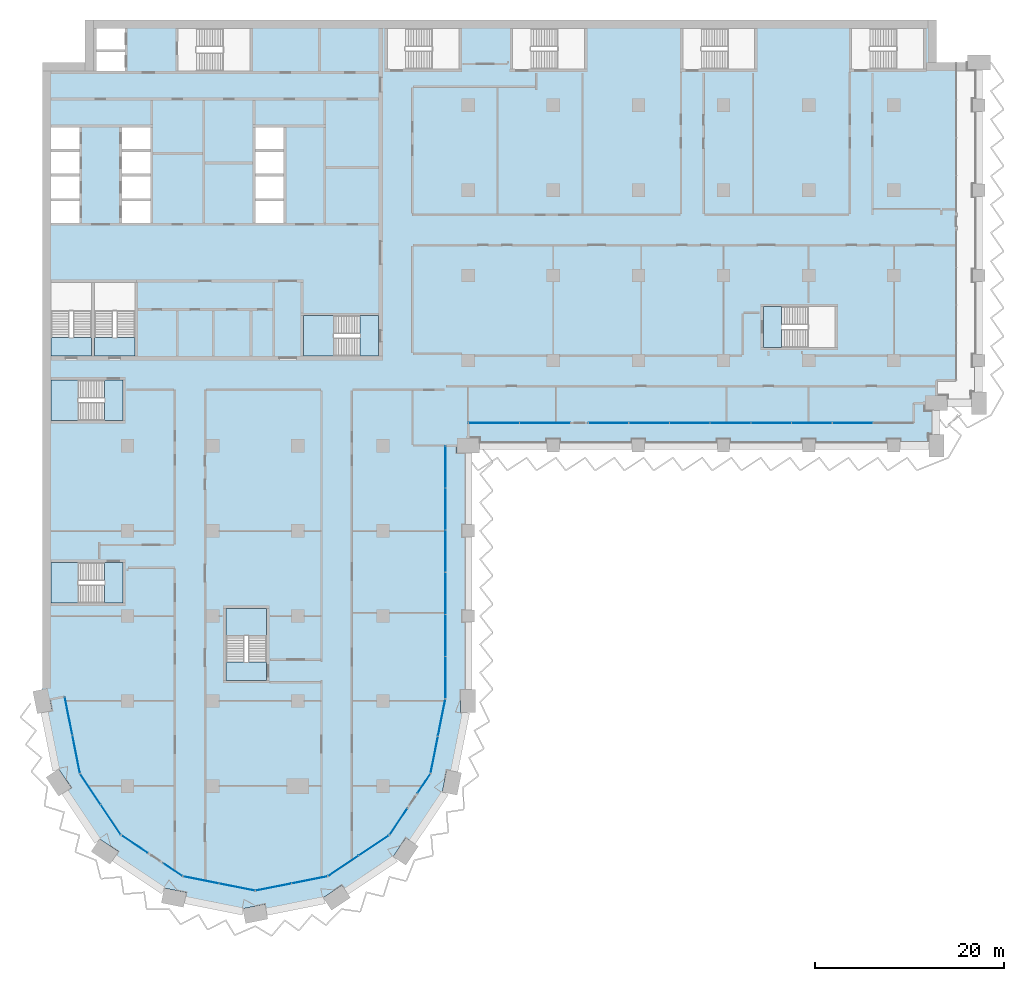
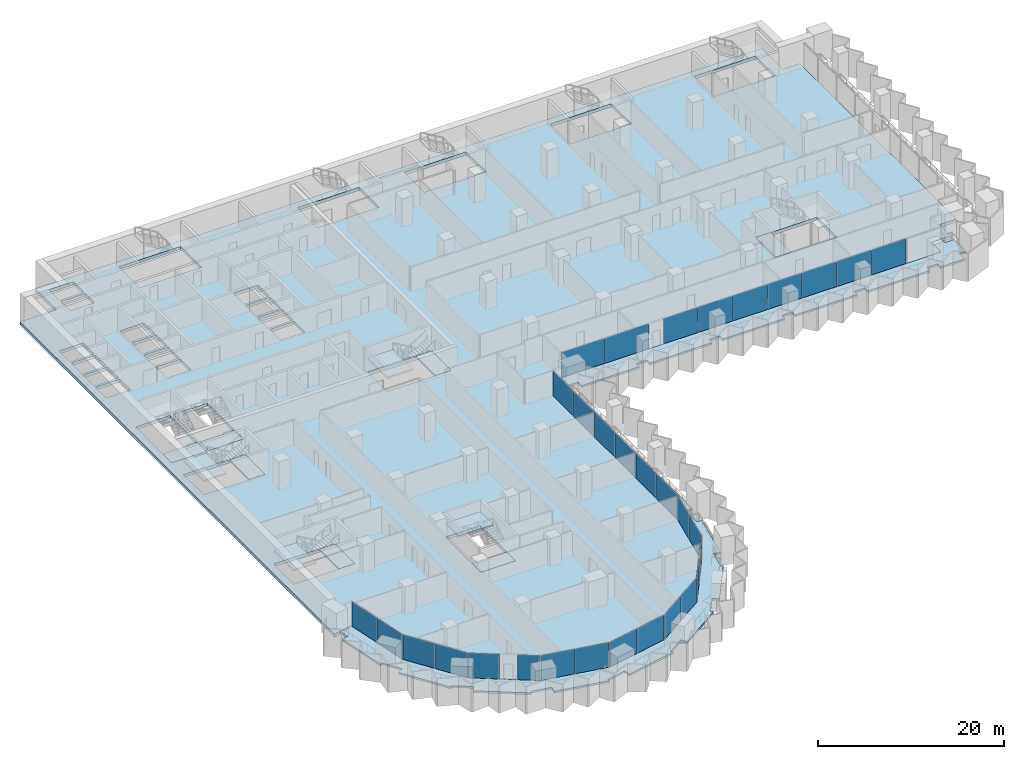
# One storey, part 8 of 29: 31 plates, 14 slabs, 17 elements without a shape of their own.
"""IFC4 building model written with IfcOpenShell, lengths in metres."""

from ifc_helpers import new_model, si_unit, direction, frame, origin, origin_2d, place, context, subcontext, project, spatial, polyline, rectangle, outline, extrude, material, layer, layer_set, type_object, element, aggregate, save


model = new_model("IFC4")

# Units and contexts
model_context = context("Model", 3, precision=1e-05, world=origin(), true_north=direction((0.0, 1.0)))
body_context = subcontext(model_context, "Body", "Model", "MODEL_VIEW")
ifc_project = project(units=[si_unit("LENGTHUNIT", "METRE"), si_unit("AREAUNIT", "SQUARE_METRE"), si_unit("VOLUMEUNIT", "CUBIC_METRE"), si_unit("PLANEANGLEUNIT", "RADIAN"), si_unit("MASSUNIT", "GRAM", prefix="KILO")], contexts=[model_context])

# Site, building, storey
site_placement = place(None, origin())
site = spatial("IfcSite", under=ifc_project, at=site_placement, CompositionType="ELEMENT")
building_placement = place(site_placement, origin())
building = spatial("IfcBuilding", under=site, at=building_placement, Name="Hunhe Ridgeline Campus", CompositionType="ELEMENT")
storey_placement = place(building_placement, frame((0.0, 0.0, 65.39990234375)))
storey = spatial("IfcBuildingStorey", under=building, at=storey_placement, Name="L15", CompositionType="ELEMENT", Elevation=65.39990234375)

# Curtain wall, plates
ifc_material_1 = material(Name="Aluminium 6063", Category="aluminium")
curtain_wall_type_1 = type_object("IfcCurtainWallType", Name="Curtain wall CW-5", PredefinedType="NOTDEFINED", material=ifc_material_1)
curtain_wall_1_placement = place(storey_placement, origin())
curtain_wall_1 = element("IfcCurtainWall", 1, at=curtain_wall_1_placement, inside=storey, type_object=curtain_wall_type_1, Name="Curtain wall 01", PredefinedType="NOTDEFINED")
ifc_material_2 = material(Name="Low-e laminated glass", Category="glass")
ifc_layer_1 = layer(ifc_material_2, 0.028076171875)
ifc_layer_set_1 = layer_set([ifc_layer_1], Name="Curtain wall glass panel 28 low-e laminated")
plate_type = type_object("IfcPlateType", Name="Curtain wall glass panel 28 low-e laminated", PredefinedType="CURTAIN_PANEL", material=ifc_layer_set_1)
plate_1_placement = place(storey_placement, frame((2.76318359375, 25.416015625, 0.0), z_axis=(0.0, 0.0, 1.0), x_axis=(0.195095347137, -0.980784280831, 0.0)))
plate_1 = element("IfcPlate", 2, at=plate_1_placement, type_object=plate_type, Name="CW-5 panel 1", PredefinedType="CURTAIN_PANEL", context=body_context, shape_type="SweptSolid", body=[
    extrude(rectangle(XDim=4.0458984375, YDim=0.028076171875, at=origin_2d()), origin(), (0.0, 0.0, 1.0), 3.22998046875),
])
plate_2_placement = place(storey_placement, frame((3.566162109375, 21.379150390625, 0.0), z_axis=(0.0, 0.0, 1.0), x_axis=(0.195095347137, -0.980784280831, 0.0)))
plate_2 = element("IfcPlate", 3, at=plate_2_placement, type_object=plate_type, Name="CW-5 panel 2", PredefinedType="CURTAIN_PANEL", context=body_context, shape_type="SweptSolid", body=[
    extrude(rectangle(XDim=4.0458984375, YDim=0.028076171875, at=origin_2d()), origin(), (0.0, 0.0, 1.0), 3.22998046875),
])
aggregate(curtain_wall_1, [plate_1, plate_2])

curtain_wall_2_placement = place(storey_placement, origin())
curtain_wall_2 = element("IfcCurtainWall", 4, at=curtain_wall_2_placement, inside=storey, type_object=curtain_wall_type_1, Name="Curtain wall 02", PredefinedType="NOTDEFINED")
plate_3_placement = place(storey_placement, frame((5.07080078125, 17.685546875, 0.0), z_axis=(0.0, 0.0, 1.0), x_axis=(0.555570274596, -0.831469584522, 0.0)))
plate_3 = element("IfcPlate", 5, at=plate_3_placement, type_object=plate_type, Name="CW-5 panel 1", PredefinedType="CURTAIN_PANEL", context=body_context, shape_type="SweptSolid", body=[
    extrude(rectangle(XDim=3.806884765625, YDim=0.028076171875, at=origin_2d()), origin(), (0.0, 0.0, 1.0), 3.22998046875),
])
plate_4_placement = place(storey_placement, frame((7.224609375, 14.4619140625, 0.0), z_axis=(0.0, 0.0, 1.0), x_axis=(0.555570274596, -0.831469584522, 0.0)))
plate_4 = element("IfcPlate", 6, at=plate_4_placement, type_object=plate_type, Name="CW-5 panel 2", PredefinedType="CURTAIN_PANEL", context=body_context, shape_type="SweptSolid", body=[
    extrude(rectangle(XDim=3.806884765625, YDim=0.028076171875, at=origin_2d()), origin(), (0.0, 0.0, 1.0), 3.22998046875),
])
aggregate(curtain_wall_2, [plate_3, plate_4])

# Curtain wall, plate
curtain_wall_3_placement = place(storey_placement, origin())
curtain_wall_3 = element("IfcCurtainWall", 7, at=curtain_wall_3_placement, inside=storey, type_object=curtain_wall_type_1, Name="Curtain wall 03", PredefinedType="NOTDEFINED")
plate_5_placement = place(storey_placement, frame((9.76025390625, 11.859375, 0.0), z_axis=(0.0, 0.0, 1.0), x_axis=(0.831469595944, -0.555570257501, 0.0)))
plate_5 = element("IfcPlate", 8, at=plate_5_placement, type_object=plate_type, Name="CW-5 panel 1", PredefinedType="CURTAIN_PANEL", context=body_context, shape_type="SweptSolid", body=[
    extrude(rectangle(XDim=3.322021484375, YDim=0.028076171875, at=origin_2d()), origin(), (0.0, 0.0, 1.0), 3.22998046875),
])
aggregate(curtain_wall_3, [plate_5])

curtain_wall_4_placement = place(storey_placement, origin())
curtain_wall_4 = element("IfcCurtainWall", 9, at=curtain_wall_4_placement, inside=storey, type_object=curtain_wall_type_1, Name="Curtain wall 04", PredefinedType="NOTDEFINED")
plate_6_placement = place(storey_placement, frame((13.761474609375, 9.18603515625, 0.0), z_axis=(0.0, 0.0, 1.0), x_axis=(0.831469510353, -0.555570385598, 0.0)))
plate_6 = element("IfcPlate", 10, at=plate_6_placement, type_object=plate_type, Name="CW-5 panel 1", PredefinedType="CURTAIN_PANEL", context=body_context, shape_type="SweptSolid", body=[
    extrude(rectangle(XDim=2.421875, YDim=0.028076171875, at=origin_2d()), origin(), (0.0, 0.0, 1.0), 3.22998046875),
])
aggregate(curtain_wall_4, [plate_6])

# Curtain wall, plates
curtain_wall_5_placement = place(storey_placement, origin())
curtain_wall_5 = element("IfcCurtainWall", 11, at=curtain_wall_5_placement, inside=storey, type_object=curtain_wall_type_1, Name="Curtain wall 05", PredefinedType="NOTDEFINED")
plate_7_placement = place(storey_placement, frame((16.761962890625, 8.08935546875, 0.0), z_axis=(0.0, 0.0, 1.0), x_axis=(0.980785275326, -0.195090347539, 0.0)))
plate_7 = element("IfcPlate", 12, at=plate_7_placement, type_object=plate_type, Name="CW-5 panel 1", PredefinedType="CURTAIN_PANEL", context=body_context, shape_type="SweptSolid", body=[
    extrude(rectangle(XDim=3.806884765625, YDim=0.028076171875, at=origin_2d()), origin(), (0.0, 0.0, 1.0), 3.22998046875),
])
plate_8_placement = place(storey_placement, frame((20.564453125, 7.3330078125, 0.0), z_axis=(0.0, 0.0, 1.0), x_axis=(0.980785275326, -0.195090347539, 0.0)))
plate_8 = element("IfcPlate", 13, at=plate_8_placement, type_object=plate_type, Name="CW-5 panel 2", PredefinedType="CURTAIN_PANEL", context=body_context, shape_type="SweptSolid", body=[
    extrude(rectangle(XDim=3.806884765625, YDim=0.028076171875, at=origin_2d()), origin(), (0.0, 0.0, 1.0), 3.22998046875),
])
aggregate(curtain_wall_5, [plate_7, plate_8])

curtain_wall_6_placement = place(storey_placement, origin())
curtain_wall_6 = element("IfcCurtainWall", 14, at=curtain_wall_6_placement, inside=storey, type_object=curtain_wall_type_1, Name="Curtain wall 06", PredefinedType="NOTDEFINED")
plate_9_placement = place(storey_placement, frame((24.435546875, 7.3330078125, 0.0), z_axis=(0.0, 0.0, 1.0), x_axis=(0.980785275326, 0.195090347539, 0.0)))
plate_9 = element("IfcPlate", 15, at=plate_9_placement, type_object=plate_type, Name="CW-5 panel 1", PredefinedType="CURTAIN_PANEL", context=body_context, shape_type="SweptSolid", body=[
    extrude(rectangle(XDim=3.806884765625, YDim=0.028076171875, at=origin_2d()), origin(), (0.0, 0.0, 1.0), 3.22998046875),
])
plate_10_placement = place(storey_placement, frame((28.238037109375, 8.08935546875, 0.0), z_axis=(0.0, 0.0, 1.0), x_axis=(0.980785275326, 0.195090347539, 0.0)))
plate_10 = element("IfcPlate", 16, at=plate_10_placement, type_object=plate_type, Name="CW-5 panel 2", PredefinedType="CURTAIN_PANEL", context=body_context, shape_type="SweptSolid", body=[
    extrude(rectangle(XDim=3.806884765625, YDim=0.028076171875, at=origin_2d()), origin(), (0.0, 0.0, 1.0), 3.22998046875),
])
aggregate(curtain_wall_6, [plate_9, plate_10])

curtain_wall_7_placement = place(storey_placement, origin())
curtain_wall_7 = element("IfcCurtainWall", 17, at=curtain_wall_7_placement, inside=storey, type_object=curtain_wall_type_1, Name="Curtain wall 07", PredefinedType="NOTDEFINED")
plate_11_placement = place(storey_placement, frame((31.814453125, 9.57080078125, 0.0), z_axis=(0.0, 0.0, 1.0), x_axis=(0.831469584522, 0.555570274596, 0.0)))
plate_11 = element("IfcPlate", 18, at=plate_11_placement, type_object=plate_type, Name="CW-5 panel 1", PredefinedType="CURTAIN_PANEL", context=body_context, shape_type="SweptSolid", body=[
    extrude(rectangle(XDim=3.806884765625, YDim=0.028076171875, at=origin_2d()), origin(), (0.0, 0.0, 1.0), 3.22998046875),
])
plate_12_placement = place(storey_placement, frame((35.0380859375, 11.724609375, 0.0), z_axis=(0.0, 0.0, 1.0), x_axis=(0.831469584522, 0.555570274596, 0.0)))
plate_12 = element("IfcPlate", 19, at=plate_12_placement, type_object=plate_type, Name="CW-5 panel 2", PredefinedType="CURTAIN_PANEL", context=body_context, shape_type="SweptSolid", body=[
    extrude(rectangle(XDim=3.806884765625, YDim=0.028076171875, at=origin_2d()), origin(), (0.0, 0.0, 1.0), 3.22998046875),
])
aggregate(curtain_wall_7, [plate_11, plate_12])

# Curtain wall, plate
curtain_wall_8_placement = place(storey_placement, origin())
curtain_wall_8 = element("IfcCurtainWall", 20, at=curtain_wall_8_placement, inside=storey, type_object=curtain_wall_type_1, Name="Curtain wall 08", PredefinedType="NOTDEFINED")
plate_13_placement = place(storey_placement, frame((37.640625, 14.26025390625, 0.0), z_axis=(0.0, 0.0, 1.0), x_axis=(0.555570257501, 0.831469595944, 0.0)))
plate_13 = element("IfcPlate", 21, at=plate_13_placement, type_object=plate_type, Name="CW-5 panel 1", PredefinedType="CURTAIN_PANEL", context=body_context, shape_type="SweptSolid", body=[
    extrude(rectangle(XDim=3.322021484375, YDim=0.028076171875, at=origin_2d()), origin(), (0.0, 0.0, 1.0), 3.22998046875),
])
aggregate(curtain_wall_8, [plate_13])

curtain_wall_9_placement = place(storey_placement, origin())
curtain_wall_9 = element("IfcCurtainWall", 22, at=curtain_wall_9_placement, inside=storey, type_object=curtain_wall_type_1, Name="Curtain wall 09", PredefinedType="NOTDEFINED")
plate_14_placement = place(storey_placement, frame((40.31396484375, 18.261474609375, 0.0), z_axis=(0.0, 0.0, 1.0), x_axis=(0.555570385598, 0.831469510353, 0.0)))
plate_14 = element("IfcPlate", 23, at=plate_14_placement, type_object=plate_type, Name="CW-5 panel 1", PredefinedType="CURTAIN_PANEL", context=body_context, shape_type="SweptSolid", body=[
    extrude(rectangle(XDim=2.421875, YDim=0.028076171875, at=origin_2d()), origin(), (0.0, 0.0, 1.0), 3.22998046875),
])
aggregate(curtain_wall_9, [plate_14])

# Curtain wall, plates
curtain_wall_10_placement = place(storey_placement, origin())
curtain_wall_10 = element("IfcCurtainWall", 24, at=curtain_wall_10_placement, inside=storey, type_object=curtain_wall_type_1, Name="Curtain wall 10", PredefinedType="NOTDEFINED")
plate_15_placement = place(storey_placement, frame((41.42236328125, 21.321044921875, 0.0), z_axis=(0.0, 0.0, 1.0), x_axis=(0.195090299215, 0.980785284939, 0.0)))
plate_15 = element("IfcPlate", 25, at=plate_15_placement, type_object=plate_type, Name="CW-5 panel 1", PredefinedType="CURTAIN_PANEL", context=body_context, shape_type="SweptSolid", body=[
    extrude(rectangle(XDim=3.927490234375, YDim=0.028076171875, at=origin_2d()), origin(), (0.0, 0.0, 1.0), 3.22998046875),
])
plate_16_placement = place(storey_placement, frame((42.2021484375, 25.24169921875, 0.0), z_axis=(0.0, 0.0, 1.0), x_axis=(0.195090299215, 0.980785284939, 0.0)))
plate_16 = element("IfcPlate", 26, at=plate_16_placement, type_object=plate_type, Name="CW-5 panel 2", PredefinedType="CURTAIN_PANEL", context=body_context, shape_type="SweptSolid", body=[
    extrude(rectangle(XDim=3.927490234375, YDim=0.028076171875, at=origin_2d()), origin(), (0.0, 0.0, 1.0), 3.22998046875),
])
aggregate(curtain_wall_10, [plate_15, plate_16])

curtain_wall_type_2 = type_object("IfcCurtainWallType", Name="Curtain wall CW-1", PredefinedType="NOTDEFINED", material=ifc_material_1)
curtain_wall_11_placement = place(storey_placement, origin())
curtain_wall_11 = element("IfcCurtainWall", 27, at=curtain_wall_11_placement, inside=storey, type_object=curtain_wall_type_2, Name="Curtain wall 11", PredefinedType="NOTDEFINED")
plate_17_placement = place(storey_placement, frame((42.59912109375, 29.481689453125, 0.0), z_axis=(0.0, 0.0, 1.0), x_axis=(1.8682e-07, 1.0, 0.0)))
plate_17 = element("IfcPlate", 28, at=plate_17_placement, type_object=plate_type, Name="CW-1 panel 1", PredefinedType="CURTAIN_PANEL", context=body_context, shape_type="SweptSolid", body=[
    extrude(rectangle(XDim=4.37060546875, YDim=0.028076171875, at=origin_2d()), origin(), (0.0, 0.0, 1.0), 3.239990234375),
])
plate_18_placement = place(storey_placement, frame((42.59912109375, 33.927490234375, 0.0), z_axis=(0.0, 0.0, 1.0), x_axis=(1.8682e-07, 1.0, 0.0)))
plate_18 = element("IfcPlate", 29, at=plate_18_placement, type_object=plate_type, Name="CW-1 panel 2", PredefinedType="CURTAIN_PANEL", context=body_context, shape_type="SweptSolid", body=[
    extrude(rectangle(XDim=4.400634765625, YDim=0.028076171875, at=origin_2d()), origin(), (0.0, 0.0, 1.0), 3.239990234375),
])
plate_19_placement = place(storey_placement, frame((42.59912109375, 38.387939453125, 0.0), z_axis=(0.0, 0.0, 1.0), x_axis=(1.8682e-07, 1.0, 0.0)))
plate_19 = element("IfcPlate", 30, at=plate_19_placement, type_object=plate_type, Name="CW-1 panel 3", PredefinedType="CURTAIN_PANEL", context=body_context, shape_type="SweptSolid", body=[
    extrude(rectangle(XDim=4.400634765625, YDim=0.028076171875, at=origin_2d()), origin(), (0.0, 0.0, 1.0), 3.239990234375),
])
plate_20_placement = place(storey_placement, frame((42.59912109375, 42.8486328125, 0.0), z_axis=(0.0, 0.0, 1.0), x_axis=(1.8682e-07, 1.0, 0.0)))
plate_20 = element("IfcPlate", 31, at=plate_20_placement, type_object=plate_type, Name="CW-1 panel 4", PredefinedType="CURTAIN_PANEL", context=body_context, shape_type="SweptSolid", body=[
    extrude(rectangle(XDim=4.400634765625, YDim=0.028076171875, at=origin_2d()), origin(), (0.0, 0.0, 1.0), 3.239990234375),
])
plate_21_placement = place(storey_placement, frame((42.59912109375, 47.30908203125, 0.0), z_axis=(0.0, 0.0, 1.0), x_axis=(1.8682e-07, 1.0, 0.0)))
plate_21 = element("IfcPlate", 32, at=plate_21_placement, type_object=plate_type, Name="CW-1 panel 5", PredefinedType="CURTAIN_PANEL", context=body_context, shape_type="SweptSolid", body=[
    extrude(rectangle(XDim=4.400634765625, YDim=0.028076171875, at=origin_2d()), origin(), (0.0, 0.0, 1.0), 3.239990234375),
])
plate_22_placement = place(storey_placement, frame((42.59912109375, 51.7548828125, 0.0), z_axis=(0.0, 0.0, 1.0), x_axis=(1.8682e-07, 1.0, 0.0)))
plate_22 = element("IfcPlate", 33, at=plate_22_placement, type_object=plate_type, Name="CW-1 panel 6", PredefinedType="CURTAIN_PANEL", context=body_context, shape_type="SweptSolid", body=[
    extrude(rectangle(XDim=4.37060546875, YDim=0.028076171875, at=origin_2d()), origin(), (0.0, 0.0, 1.0), 3.239990234375),
])
aggregate(curtain_wall_11, [plate_17, plate_18, plate_19, plate_20, plate_21, plate_22])

curtain_wall_12_placement = place(storey_placement, origin())
curtain_wall_12 = element("IfcCurtainWall", 34, at=curtain_wall_12_placement, inside=storey, type_object=curtain_wall_type_2, Name="Curtain wall 12", PredefinedType="NOTDEFINED")
plate_23_placement = place(storey_placement, frame((47.733154296875, 56.40087890625, 0.0), z_axis=(0.0, 0.0, 1.0), x_axis=(0.999999999994, 3.58625e-06, 0.0)))
plate_23 = element("IfcPlate", 35, at=plate_23_placement, type_object=plate_type, Name="CW-1 panel 1", PredefinedType="CURTAIN_PANEL", context=body_context, shape_type="SweptSolid", body=[
    extrude(rectangle(XDim=5.347412109375, YDim=0.028076171875, at=origin_2d()), origin(), (0.0, 0.0, 1.0), 3.239990234375),
])
plate_24_placement = place(storey_placement, frame((53.140625, 56.40087890625, 0.0), z_axis=(0.0, 0.0, 1.0), x_axis=(0.999999999994, 3.58625e-06, 0.0)))
plate_24 = element("IfcPlate", 36, at=plate_24_placement, type_object=plate_type, Name="CW-1 panel 2", PredefinedType="CURTAIN_PANEL", context=body_context, shape_type="SweptSolid", body=[
    extrude(rectangle(XDim=5.347412109375, YDim=0.028076171875, at=origin_2d()), origin(), (0.0, 0.0, 1.0), 3.239990234375),
])
aggregate(curtain_wall_12, [plate_23, plate_24])

curtain_wall_13_placement = place(storey_placement, origin())
curtain_wall_13 = element("IfcCurtainWall", 37, at=curtain_wall_13_placement, inside=storey, type_object=curtain_wall_type_2, Name="Curtain wall 13", PredefinedType="NOTDEFINED")
plate_25_placement = place(storey_placement, frame((59.8408203125, 56.40087890625, 0.0), z_axis=(0.0, 0.0, 1.0), x_axis=(0.999999999994, 3.602063e-06, 0.0)))
plate_25 = element("IfcPlate", 38, at=plate_25_placement, type_object=plate_type, Name="CW-1 panel 1", PredefinedType="CURTAIN_PANEL", context=body_context, shape_type="SweptSolid", body=[
    extrude(rectangle(XDim=4.213134765625, YDim=0.028076171875, at=origin_2d()), origin(), (0.0, 0.0, 1.0), 3.239990234375),
])
plate_26_placement = place(storey_placement, frame((64.12890625, 56.40087890625, 0.0), z_axis=(0.0, 0.0, 1.0), x_axis=(0.999999999994, 3.602063e-06, 0.0)))
plate_26 = element("IfcPlate", 39, at=plate_26_placement, type_object=plate_type, Name="CW-1 panel 2", PredefinedType="CURTAIN_PANEL", context=body_context, shape_type="SweptSolid", body=[
    extrude(rectangle(XDim=4.2431640625, YDim=0.028076171875, at=origin_2d()), origin(), (0.0, 0.0, 1.0), 3.239990234375),
])
plate_27_placement = place(storey_placement, frame((68.43212890625, 56.40087890625, 0.0), z_axis=(0.0, 0.0, 1.0), x_axis=(0.999999999994, 3.602063e-06, 0.0)))
plate_27 = element("IfcPlate", 40, at=plate_27_placement, type_object=plate_type, Name="CW-1 panel 3", PredefinedType="CURTAIN_PANEL", context=body_context, shape_type="SweptSolid", body=[
    extrude(rectangle(XDim=4.2431640625, YDim=0.028076171875, at=origin_2d()), origin(), (0.0, 0.0, 1.0), 3.239990234375),
])
plate_28_placement = place(storey_placement, frame((72.735107421875, 56.40087890625, 0.0), z_axis=(0.0, 0.0, 1.0), x_axis=(0.999999999994, 3.602063e-06, 0.0)))
plate_28 = element("IfcPlate", 41, at=plate_28_placement, type_object=plate_type, Name="CW-1 panel 4", PredefinedType="CURTAIN_PANEL", context=body_context, shape_type="SweptSolid", body=[
    extrude(rectangle(XDim=4.2431640625, YDim=0.028076171875, at=origin_2d()), origin(), (0.0, 0.0, 1.0), 3.239990234375),
])
plate_29_placement = place(storey_placement, frame((77.038330078125, 56.40087890625, 0.0), z_axis=(0.0, 0.0, 1.0), x_axis=(0.999999999994, 3.602063e-06, 0.0)))
plate_29 = element("IfcPlate", 42, at=plate_29_placement, type_object=plate_type, Name="CW-1 panel 5", PredefinedType="CURTAIN_PANEL", context=body_context, shape_type="SweptSolid", body=[
    extrude(rectangle(XDim=4.2431640625, YDim=0.028076171875, at=origin_2d()), origin(), (0.0, 0.0, 1.0), 3.239990234375),
])
plate_30_placement = place(storey_placement, frame((81.34130859375, 56.40087890625, 0.0), z_axis=(0.0, 0.0, 1.0), x_axis=(0.999999999994, 3.602063e-06, 0.0)))
plate_30 = element("IfcPlate", 43, at=plate_30_placement, type_object=plate_type, Name="CW-1 panel 6", PredefinedType="CURTAIN_PANEL", context=body_context, shape_type="SweptSolid", body=[
    extrude(rectangle(XDim=4.2431640625, YDim=0.028076171875, at=origin_2d()), origin(), (0.0, 0.0, 1.0), 3.239990234375),
])
plate_31_placement = place(storey_placement, frame((85.644287109375, 56.40087890625, 0.0), z_axis=(0.0, 0.0, 1.0), x_axis=(0.999999999994, 3.602063e-06, 0.0)))
plate_31 = element("IfcPlate", 44, at=plate_31_placement, type_object=plate_type, Name="CW-1 panel 7", PredefinedType="CURTAIN_PANEL", context=body_context, shape_type="SweptSolid", body=[
    extrude(rectangle(XDim=4.2431640625, YDim=0.028076171875, at=origin_2d()), origin(), (0.0, 0.0, 1.0), 3.239990234375),
])
aggregate(curtain_wall_13, [plate_25, plate_26, plate_27, plate_28, plate_29, plate_30, plate_31])

# Slabs
ifc_material_3 = material(Name="Concrete C40", Category="concrete")
ifc_layer_2 = layer(ifc_material_3, 0.39990234375)
ifc_layer_set_2 = layer_set([ifc_layer_2], Name="Floor slab 400 Concrete C40")
slab_type_1 = type_object("IfcSlabType", Name="Floor slab 400 Concrete C40", PredefinedType="FLOOR", material=ifc_layer_set_2)
slab_1_placement = place(storey_placement, frame((0.0, 0.0, -0.39990234375)))
element("IfcSlab", 45, at=slab_1_placement, inside=storey, type_object=slab_type_1, Name="Floor slab L15 1", PredefinedType="FLOOR", context=body_context, shape_type="SweptSolid", body=[
    extrude(outline(polyline([(4.5, 94.5), (0.0, 94.5), (0.0, 27.0009765625), (2.354736328125, 27.46875), (3.974365234375, 19.326416015625), (8.321044921875, 12.821044921875), (14.826416015625, 8.474365234375), (22.5, 6.947998046875), (30.173583984375, 8.474365234375), (36.678955078125, 12.821044921875), (41.025634765625, 19.326416015625), (42.59912109375, 27.236572265625), (42.59912109375, 54.0), (44.9990234375, 54.0009765625), (44.99951171875, 56.40087890625), (92.09912109375, 56.40087890625), (92.099365234375, 58.500732421875), (94.4990234375, 58.5009765625), (94.499267578125, 60.900634765625), (96.59912109375, 60.90087890625), (96.59912109375, 94.5), (94.5, 94.5), (94.5, 99.0), (4.5, 99.0), (4.5, 94.5)]), holes=[polyline([(93.14990234375, 93.800048828125), (93.14990234375, 98.10009765625), (85.550048828125, 98.10009765625), (85.550048828125, 93.800048828125), (93.14990234375, 93.800048828125)]), polyline([(76.199951171875, 68.699951171875), (76.199951171875, 64.39990234375), (83.800048828125, 64.39990234375), (83.800048828125, 68.699951171875), (76.199951171875, 68.699951171875)]), polyline([(75.300048828125, 98.10009765625), (67.699951171875, 98.10009765625), (67.699951171875, 93.800048828125), (75.300048828125, 93.800048828125), (75.300048828125, 98.10009765625)]), polyline([(49.699951171875, 98.10009765625), (49.699951171875, 93.800048828125), (57.300048828125, 93.800048828125), (57.300048828125, 98.10009765625), (49.699951171875, 98.10009765625)]), polyline([(36.449951171875, 93.800048828125), (44.050048828125, 93.800048828125), (44.050048828125, 98.10009765625), (36.449951171875, 98.10009765625), (36.449951171875, 93.800048828125)]), polyline([(35.5, 63.5), (35.5, 67.75), (27.60009765625, 67.75), (27.60009765625, 63.5), (35.5, 63.5)]), polyline([(25.5, 80.14990234375), (25.5, 82.449951171875), (22.5, 82.449951171875), (22.5, 80.14990234375), (25.5, 80.14990234375)]), polyline([(25.5, 79.85009765625), (22.5, 79.85009765625), (22.5, 77.550048828125), (25.5, 77.550048828125), (25.5, 79.85009765625)]), polyline([(22.5, 87.64990234375), (22.5, 85.35009765625), (25.5, 85.35009765625), (25.5, 87.64990234375), (22.5, 87.64990234375)]), polyline([(22.5, 82.75), (25.5, 82.75), (25.5, 85.050048828125), (22.5, 85.050048828125), (22.5, 82.75)]), polyline([(23.699951171875, 29.199951171875), (23.699951171875, 36.800048828125), (19.39990234375, 36.800048828125), (19.39990234375, 29.199951171875), (23.699951171875, 29.199951171875)]), polyline([(14.35009765625, 93.60009765625), (21.949951171875, 93.60009765625), (21.949951171875, 98.10009765625), (14.35009765625, 98.10009765625), (14.35009765625, 93.60009765625)]), polyline([(11.39990234375, 79.85009765625), (8.39990234375, 79.85009765625), (8.39990234375, 77.550048828125), (11.39990234375, 77.550048828125), (11.39990234375, 79.85009765625)]), polyline([(11.39990234375, 80.14990234375), (11.39990234375, 82.449951171875), (8.39990234375, 82.449951171875), (8.39990234375, 80.14990234375), (11.39990234375, 80.14990234375)]), polyline([(8.39990234375, 87.64990234375), (8.39990234375, 85.35009765625), (11.39990234375, 85.35009765625), (11.39990234375, 87.64990234375), (8.39990234375, 87.64990234375)]), polyline([(8.39990234375, 82.75), (11.39990234375, 82.75), (11.39990234375, 85.050048828125), (8.39990234375, 85.050048828125), (8.39990234375, 82.75)]), polyline([(9.800048828125, 71.25), (5.5, 71.25), (5.5, 63.5), (9.800048828125, 63.5), (9.800048828125, 71.25)]), polyline([(8.699951171875, 95.89990234375), (8.699951171875, 98.10009765625), (5.699951171875, 98.10009765625), (5.699951171875, 95.89990234375), (8.699951171875, 95.89990234375)]), polyline([(8.699951171875, 95.60009765625), (5.699951171875, 95.60009765625), (5.699951171875, 93.60009765625), (8.699951171875, 93.60009765625), (8.699951171875, 95.60009765625)]), polyline([(0.89990234375, 37.35009765625), (8.5, 37.35009765625), (8.5, 41.64990234375), (0.89990234375, 41.64990234375), (0.89990234375, 37.35009765625)]), polyline([(0.89990234375, 60.949951171875), (0.89990234375, 56.64990234375), (8.5, 56.64990234375), (8.5, 60.949951171875), (0.89990234375, 60.949951171875)]), polyline([(0.89990234375, 71.25), (0.89990234375, 63.5), (5.199951171875, 63.5), (5.199951171875, 71.25), (0.89990234375, 71.25)]), polyline([(3.89990234375, 80.14990234375), (3.89990234375, 82.449951171875), (0.89990234375, 82.449951171875), (0.89990234375, 80.14990234375), (3.89990234375, 80.14990234375)]), polyline([(3.89990234375, 79.85009765625), (0.89990234375, 79.85009765625), (0.89990234375, 77.550048828125), (3.89990234375, 77.550048828125), (3.89990234375, 79.85009765625)]), polyline([(0.89990234375, 87.64990234375), (0.89990234375, 85.35009765625), (3.89990234375, 85.35009765625), (3.89990234375, 87.64990234375), (0.89990234375, 87.64990234375)]), polyline([(0.89990234375, 82.75), (3.89990234375, 82.75), (3.89990234375, 85.050048828125), (0.89990234375, 85.050048828125), (0.89990234375, 82.75)])]), origin(), (0.0, 0.0, 1.0), 0.39990234375),
])
ifc_layer_3 = layer(ifc_material_3, 0.25)
ifc_layer_set_3 = layer_set([ifc_layer_3], Name="Loggia slab 250 Concrete C40")
slab_type_2 = type_object("IfcSlabType", Name="Loggia slab 250 Concrete C40", PredefinedType="FLOOR", material=ifc_layer_set_3)
slab_2_placement = place(storey_placement, frame((0.0, 0.0, -0.25)))
element("IfcSlab", 46, at=slab_2_placement, inside=storey, type_object=slab_type_2, Name="Loggia slab 1", PredefinedType="FLOOR", context=body_context, shape_type="SweptSolid", body=[
    extrude(outline(polyline([(30.173828125, 8.473388671875), (22.5, 6.947021484375), (14.826171875, 8.473388671875), (8.3203125, 12.8203125), (3.973388671875, 19.326171875), (2.35400390625, 27.46826171875), (0.78466796875, 27.156005859375), (1.018798828125, 25.979248046875), (0.234130859375, 25.822998046875), (1.459228515625, 19.66357421875), (1.711181640625, 19.831787109375), (3.044677734375, 17.83642578125), (2.37939453125, 17.391845703125), (5.868408203125, 12.170166015625), (6.036865234375, 12.421875), (8.0322265625, 11.088623046875), (7.587890625, 10.42333984375), (12.8095703125, 6.934326171875), (12.86865234375, 7.2314453125), (15.22265625, 6.76318359375), (15.066650390625, 5.978515625), (21.22607421875, 4.75341796875), (21.1669921875, 5.050537109375), (23.520751953125, 5.518798828125), (23.677001953125, 4.734130859375), (29.83642578125, 5.959228515625), (29.668212890625, 6.211181640625), (31.66357421875, 7.544677734375), (32.108154296875, 6.87939453125), (37.329833984375, 10.368408203125), (37.078125, 10.536865234375), (38.411376953125, 12.5322265625), (39.07666015625, 12.087890625), (42.565673828125, 17.3095703125), (42.2685546875, 17.36865234375), (42.73681640625, 19.72265625), (43.521484375, 19.566650390625), (44.76123046875, 25.800048828125), (44.199951171875, 25.800048828125), (44.199951171875, 28.199951171875), (45.0, 28.199951171875), (45.0, 35.35009765625), (44.35009765625, 35.35009765625), (44.35009765625, 36.64990234375), (45.0, 36.64990234375), (45.0, 44.35009765625), (44.35009765625, 44.35009765625), (44.35009765625, 45.64990234375), (45.0, 45.64990234375), (45.0, 53.199951171875), (43.800048828125, 53.199951171875), (43.800048828125, 54.0), (42.60009765625, 54.0), (42.60009765625, 27.236328125), (41.026611328125, 19.326171875), (36.6796875, 12.8203125), (30.173828125, 8.473388671875)])), origin(), (0.0, 0.0, 1.0), 0.25),
])
slab_3_placement = place(storey_placement, frame((0.0, 0.0, -0.25)))
element("IfcSlab", 47, at=slab_3_placement, inside=storey, type_object=slab_type_2, Name="Loggia slab 2", PredefinedType="FLOOR", context=body_context, shape_type="SweptSolid", body=[
    extrude(outline(polyline([(45.0, 54.800048828125), (46.199951171875, 54.800048828125), (46.199951171875, 54.0), (53.35009765625, 54.0), (53.35009765625, 54.64990234375), (54.64990234375, 54.64990234375), (54.64990234375, 54.0), (62.35009765625, 54.0), (62.35009765625, 54.64990234375), (63.64990234375, 54.64990234375), (63.64990234375, 54.0), (71.35009765625, 54.0), (71.35009765625, 54.64990234375), (72.64990234375, 54.64990234375), (72.64990234375, 54.0), (80.35009765625, 54.0), (80.35009765625, 54.64990234375), (81.64990234375, 54.64990234375), (81.64990234375, 54.0), (89.35009765625, 54.0), (89.35009765625, 54.64990234375), (90.64990234375, 54.64990234375), (90.64990234375, 54.0), (93.699951171875, 54.0), (93.699951171875, 55.199951171875), (94.5, 55.199951171875), (94.5, 57.699951171875), (93.300048828125, 57.699951171875), (93.300048828125, 58.5), (92.10009765625, 58.5), (92.10009765625, 56.39990234375), (45.0, 56.39990234375), (45.0, 54.800048828125)])), origin(), (0.0, 0.0, 1.0), 0.25),
])

# Stair, slab
stair_type = type_object("IfcStairType", Name="Reinforced concrete dog-leg stair 1950 Concrete C40", PredefinedType="HALF_TURN_STAIR", material=ifc_material_3)
stair_1_placement = place(storey_placement, origin())
stair_1 = element("IfcStair", 48, at=stair_1_placement, inside=storey, type_object=stair_type, Name="L15 S2", PredefinedType="HALF_TURN_STAIR")
ifc_layer_4 = layer(ifc_material_3, 0.199951171875)
ifc_layer_set_4 = layer_set([ifc_layer_4], Name="Reinforced concrete stair landing 200 Concrete C40")
slab_type_3 = type_object("IfcSlabType", Name="Reinforced concrete stair landing 200 Concrete C40", PredefinedType="LANDING", material=ifc_layer_set_4)
slab_4_placement = place(storey_placement, frame((0.0, 0.0, 1.650146484375)))
slab_4 = element("IfcSlab", 49, at=slab_4_placement, type_object=slab_type_3, Name="ST2 landing 1", PredefinedType="LANDING", context=body_context, shape_type="SweptSolid", body=[
    extrude(outline(polyline([(30.75, 67.75), (27.60009765625, 67.75), (27.60009765625, 63.5), (30.75, 63.5), (30.75, 67.75)])), origin(), (0.0, 0.0, 1.0), 0.199951171875),
])
aggregate(stair_1, [slab_4])

# Slabs
slab_5_placement = place(storey_placement, frame((0.0, 0.0, -0.199951171875)))
element("IfcSlab", 50, at=slab_5_placement, inside=storey, type_object=slab_type_3, Name="L15 stair S2 floor landing", PredefinedType="LANDING", context=body_context, shape_type="SweptSolid", body=[
    extrude(outline(polyline([(35.5, 67.75), (33.550048828125, 67.75), (33.550048828125, 63.5), (35.5, 63.5), (35.5, 67.75)])), origin(), (0.0, 0.0, 1.0), 0.199951171875),
])
slab_6_placement = place(storey_placement, frame((0.0, 0.0, -0.199951171875)))
element("IfcSlab", 51, at=slab_6_placement, inside=storey, type_object=slab_type_3, Name="L15 stair S3 floor landing", PredefinedType="LANDING", context=body_context, shape_type="SweptSolid", body=[
    extrude(outline(polyline([(5.199951171875, 63.5), (5.199951171875, 65.449951171875), (0.89990234375, 65.449951171875), (0.89990234375, 63.5), (5.199951171875, 63.5)])), origin(), (0.0, 0.0, 1.0), 0.199951171875),
])
slab_7_placement = place(storey_placement, frame((0.0, 0.0, -0.199951171875)))
element("IfcSlab", 52, at=slab_7_placement, inside=storey, type_object=slab_type_3, Name="L15 stair S4 floor landing", PredefinedType="LANDING", context=body_context, shape_type="SweptSolid", body=[
    extrude(outline(polyline([(9.800048828125, 63.5), (9.800048828125, 65.449951171875), (5.5, 65.449951171875), (5.5, 63.5), (9.800048828125, 63.5)])), origin(), (0.0, 0.0, 1.0), 0.199951171875),
])

# Stair, slab
stair_2_placement = place(storey_placement, origin())
stair_2 = element("IfcStair", 53, at=stair_2_placement, inside=storey, type_object=stair_type, Name="L15 W3", PredefinedType="HALF_TURN_STAIR")
slab_8_placement = place(storey_placement, frame((0.0, 0.0, 1.650146484375)))
slab_8 = element("IfcSlab", 54, at=slab_8_placement, type_object=slab_type_3, Name="ST9 landing 1", PredefinedType="LANDING", context=body_context, shape_type="SweptSolid", body=[
    extrude(outline(polyline([(23.699951171875, 33.949951171875), (23.699951171875, 36.800048828125), (19.39990234375, 36.800048828125), (19.39990234375, 33.949951171875), (23.699951171875, 33.949951171875)])), origin(), (0.0, 0.0, 1.0), 0.199951171875),
])
aggregate(stair_2, [slab_8])

# Slabs
slab_9_placement = place(storey_placement, frame((0.0, 0.0, -0.199951171875)))
element("IfcSlab", 55, at=slab_9_placement, inside=storey, type_object=slab_type_3, Name="L15 stair W3 floor landing", PredefinedType="LANDING", context=body_context, shape_type="SweptSolid", body=[
    extrude(outline(polyline([(23.699951171875, 29.199951171875), (23.699951171875, 31.14990234375), (19.39990234375, 31.14990234375), (19.39990234375, 29.199951171875), (23.699951171875, 29.199951171875)])), origin(), (0.0, 0.0, 1.0), 0.199951171875),
])
slab_10_placement = place(storey_placement, frame((0.0, 0.0, -0.199951171875)))
element("IfcSlab", 56, at=slab_10_placement, inside=storey, type_object=slab_type_3, Name="L15 stair E5 floor landing", PredefinedType="LANDING", context=body_context, shape_type="SweptSolid", body=[
    extrude(outline(polyline([(76.199951171875, 64.39990234375), (78.14990234375, 64.39990234375), (78.14990234375, 68.699951171875), (76.199951171875, 68.699951171875), (76.199951171875, 64.39990234375)])), origin(), (0.0, 0.0, 1.0), 0.199951171875),
])

# Stair, slab
stair_3_placement = place(storey_placement, origin())
stair_3 = element("IfcStair", 57, at=stair_3_placement, inside=storey, type_object=stair_type, Name="L15 W1", PredefinedType="HALF_TURN_STAIR")
slab_11_placement = place(storey_placement, frame((0.0, 0.0, 1.650146484375)))
slab_11 = element("IfcSlab", 58, at=slab_11_placement, type_object=slab_type_3, Name="ST11 landing 1", PredefinedType="LANDING", context=body_context, shape_type="SweptSolid", body=[
    extrude(outline(polyline([(3.75, 41.64990234375), (0.89990234375, 41.64990234375), (0.89990234375, 37.35009765625), (3.75, 37.35009765625), (3.75, 41.64990234375)])), origin(), (0.0, 0.0, 1.0), 0.199951171875),
])
aggregate(stair_3, [slab_11])

# Slab
slab_12_placement = place(storey_placement, frame((0.0, 0.0, -0.199951171875)))
element("IfcSlab", 59, at=slab_12_placement, inside=storey, type_object=slab_type_3, Name="L15 stair W1 floor landing", PredefinedType="LANDING", context=body_context, shape_type="SweptSolid", body=[
    extrude(outline(polyline([(8.5, 41.64990234375), (6.550048828125, 41.64990234375), (6.550048828125, 37.35009765625), (8.5, 37.35009765625), (8.5, 41.64990234375)])), origin(), (0.0, 0.0, 1.0), 0.199951171875),
])

# Stair, slab
stair_4_placement = place(storey_placement, origin())
stair_4 = element("IfcStair", 60, at=stair_4_placement, inside=storey, type_object=stair_type, Name="L15 W2", PredefinedType="HALF_TURN_STAIR")
slab_13_placement = place(storey_placement, frame((0.0, 0.0, 1.650146484375)))
slab_13 = element("IfcSlab", 61, at=slab_13_placement, type_object=slab_type_3, Name="ST12 landing 1", PredefinedType="LANDING", context=body_context, shape_type="SweptSolid", body=[
    extrude(outline(polyline([(3.75, 60.949951171875), (0.89990234375, 60.949951171875), (0.89990234375, 56.64990234375), (3.75, 56.64990234375), (3.75, 60.949951171875)])), origin(), (0.0, 0.0, 1.0), 0.199951171875),
])
aggregate(stair_4, [slab_13])

# Slab
slab_14_placement = place(storey_placement, frame((0.0, 0.0, -0.199951171875)))
element("IfcSlab", 62, at=slab_14_placement, inside=storey, type_object=slab_type_3, Name="L15 stair W2 floor landing", PredefinedType="LANDING", context=body_context, shape_type="SweptSolid", body=[
    extrude(outline(polyline([(8.5, 60.949951171875), (6.550048828125, 60.949951171875), (6.550048828125, 56.64990234375), (8.5, 56.64990234375), (8.5, 60.949951171875)])), origin(), (0.0, 0.0, 1.0), 0.199951171875),
])

save(model, "model.ifc")
